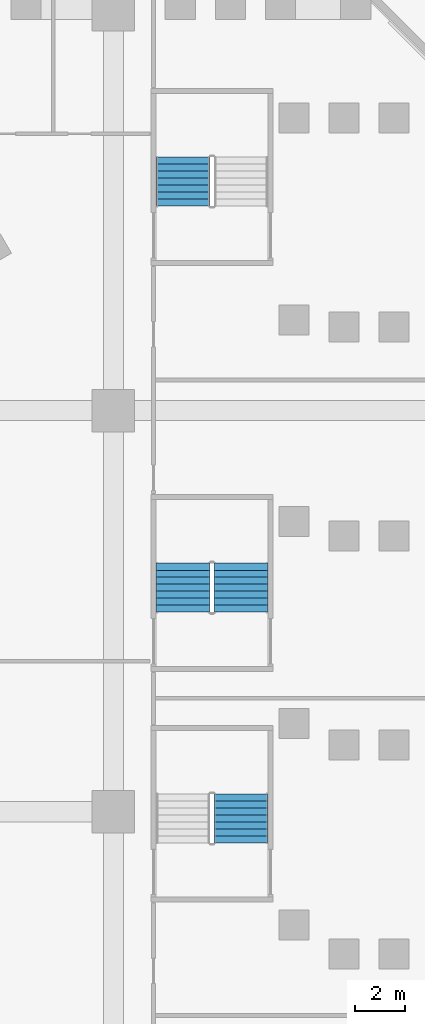
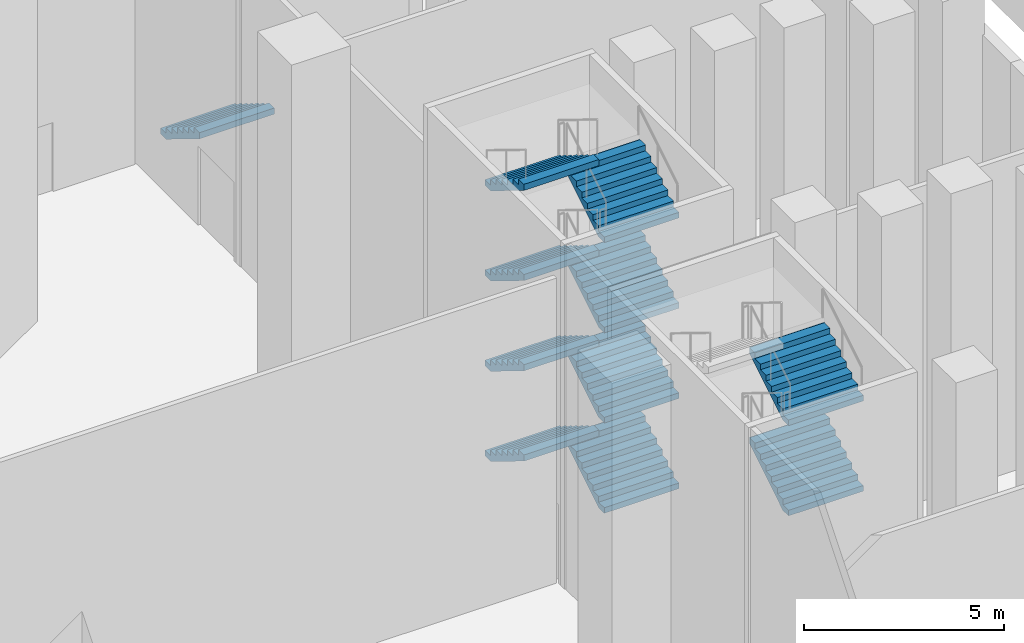
# One storey, part 20 of 31: 11 stair flights, 3 elements without a shape of their own.
"""IFC4 building model written with IfcOpenShell, lengths in metres."""

import ifcopenshell
import ifcopenshell.guid

model = None  # the IFC model being written
_history = None  # IfcOwnerHistory: only IFC2X3 demands one
_inside = {}  # id of a spatial element -> (the spatial element, [elements in it])
_under = {}  # id of a project, library or spatial element -> (it, [spatial elements below it])
_declared = {}  # id of a project -> (the project, [libraries it declares])
_typed = {}  # id of a type object -> (the type object, [elements of that type])
_made_of = {}  # id of a material, layer set ... -> (it, [elements and type objects made of it])


def new_model(schema):
    """Start an empty IFC model of exactly this schema.

    Asked for "IFC4X3", IfcOpenShell would pick the latest addendum, in which some entities
    have other attributes; the version numbers below select the first issue.
    IFC2X3 requires an IfcOwnerHistory on every rooted entity: one is made here for all.
    """
    global model, _history
    if schema == "IFC4X3":
        model = ifcopenshell.file(schema_version=(4, 3, 0, 0))
    else:
        model = ifcopenshell.file(schema=schema)
    _inside.clear()
    _under.clear()
    _declared.clear()
    _typed.clear()
    _made_of.clear()
    _history = None
    if model.schema == "IFC2X3":
        org = make("IfcOrganization", Name="unknown")
        user = make(
            "IfcPersonAndOrganization",
            ThePerson=make("IfcPerson", FamilyName="unknown"),
            TheOrganization=org,
        )
        app = make(
            "IfcApplication",
            ApplicationDeveloper=org,
            Version="unknown",
            ApplicationFullName="unknown",
            ApplicationIdentifier="unknown",
        )
        _history = make(
            "IfcOwnerHistory",
            OwningUser=user,
            OwningApplication=app,
            ChangeAction="ADDED",
            CreationDate=0,
        )
    return model


def make(cls, **values):
    """One entity of the class cls with the attributes given. An attribute that is None is left unset."""
    return model.create_entity(
        cls, **{name: value for name, value in values.items() if value is not None}
    )


def rooted(cls, **values):
    """An entity with a GlobalId (a new one), such as an element, a storey or a relation."""
    return make(cls, GlobalId=ifcopenshell.guid.new(), OwnerHistory=_history, **values)


def si_unit(unit_type, name, prefix=None):
    """IfcSIUnit, for example si_unit("LENGTHUNIT", "METRE", prefix="MILLI")."""
    return make("IfcSIUnit", UnitType=unit_type, Prefix=prefix, Name=name)


def assignment(units):
    """IfcUnitAssignment: the units of a project."""
    return None if units is None else make("IfcUnitAssignment", Units=units)


def point(xyz):
    """IfcCartesianPoint."""
    return None if xyz is None else make("IfcCartesianPoint", Coordinates=xyz)


def direction(xyz):
    """IfcDirection."""
    return None if xyz is None else make("IfcDirection", DirectionRatios=xyz)


def frame(location, z_axis=None, x_axis=None):
    """IfcAxis2Placement3D, a coordinate frame: its origin and axes. An axis left out is left unset."""
    return make(
        "IfcAxis2Placement3D",
        Location=point(location),
        Axis=direction(z_axis),
        RefDirection=direction(x_axis),
    )


def origin():
    """The frame at (0, 0, 0) with its axes left unset."""
    return frame((0.0, 0.0, 0.0))


def place(relative_to, where):
    """IfcLocalPlacement: puts the frame where relative to a parent placement (None: the world)."""
    return make(
        "IfcLocalPlacement", PlacementRelTo=relative_to, RelativePlacement=where
    )


def context(
    kind, dimensions, precision=None, world=None, true_north=None, identifier=None
):
    """IfcGeometricRepresentationContext, for example the 3D "Model" context."""
    return make(
        "IfcGeometricRepresentationContext",
        ContextIdentifier=identifier,
        ContextType=kind,
        CoordinateSpaceDimension=dimensions,
        Precision=precision,
        WorldCoordinateSystem=world,
        TrueNorth=true_north,
    )


def subcontext(parent, identifier, kind, view, scale=None):
    """IfcGeometricRepresentationSubContext, for example "Body" below "Model"."""
    return make(
        "IfcGeometricRepresentationSubContext",
        ContextIdentifier=identifier,
        ContextType=kind,
        ParentContext=parent,
        TargetScale=scale,
        TargetView=view,
    )


def project(units=None, contexts=None):
    """IfcProject with its units and contexts."""
    return rooted(
        "IfcProject",
        Name="project",
        RepresentationContexts=contexts,
        UnitsInContext=assignment(units),
    )


def spatial(cls, under=None, at=None, **own):
    """A site, building, storey or space (cls), placed at a placement, below another one or the project."""
    s = rooted(cls, ObjectPlacement=at, **own)
    if under is not None:
        _under.setdefault(under.id(), (under, []))[1].append(s)
    return s


def faces_of(points, faces, orient=None, outer=None):
    """IfcFace entities. A face is a list of loops; a loop is a list of indices into points, from 0.

    orient and outer hold one flag for each loop. By default every Orientation is true, the
    first loop of a face is its IfcFaceOuterBound and the others are IfcFaceBound.
    """
    made = []
    for i, loops in enumerate(faces):
        bounds = []
        for j, loop in enumerate(loops):
            is_outer = j == 0 if outer is None else outer[i][j]
            bounds.append(
                make(
                    "IfcFaceOuterBound" if is_outer else "IfcFaceBound",
                    Bound=make("IfcPolyLoop", Polygon=[points[k] for k in loop]),
                    Orientation=True if orient is None else orient[i][j],
                )
            )
        made.append(make("IfcFace", Bounds=bounds))
    return made


def faceted_brep(points, faces, orient=None, outer=None, voids=None):
    """IfcFacetedBrep: a solid bounded by flat faces; with voids (closed shells), ...WithVoids."""
    shared = [point(p) for p in points]
    hull = make("IfcClosedShell", CfsFaces=faces_of(shared, faces, orient, outer))
    if voids is None:
        return make("IfcFacetedBrep", Outer=hull)
    return make(
        "IfcFacetedBrepWithVoids",
        Outer=hull,
        Voids=[
            make(cls, CfsFaces=faces_of(shared, fs, o, b)) for cls, fs, o, b in voids
        ],
    )


def shape(context_of_items, identifier, shape_type, items):
    """IfcShapeRepresentation: the items that make up one representation, for example the "Body"."""
    return make(
        "IfcShapeRepresentation",
        ContextOfItems=context_of_items,
        RepresentationIdentifier=identifier,
        RepresentationType=shape_type,
        Items=items,
    )


def source(mapping_origin, context_of_items, identifier, shape_type, items):
    """IfcRepresentationMap: a shape defined once, which mapped items show again and again."""
    return make(
        "IfcRepresentationMap",
        MappingOrigin=mapping_origin,
        MappedRepresentation=shape(context_of_items, identifier, shape_type, items),
    )


def transform(
    local_origin,
    x_axis=None,
    y_axis=None,
    z_axis=None,
    scale=None,
    scale2=None,
    scale3=None,
    uniform=True,
):
    """IfcCartesianTransformationOperator3D, or its non-uniform kind. x_axis, y_axis, z_axis: its Axis1, 2, 3."""
    if uniform:
        return make(
            "IfcCartesianTransformationOperator3D",
            Axis1=direction(x_axis),
            Axis2=direction(y_axis),
            LocalOrigin=point(local_origin),
            Scale=scale,
            Axis3=direction(z_axis),
        )
    return make(
        "IfcCartesianTransformationOperator3DnonUniform",
        Axis1=direction(x_axis),
        Axis2=direction(y_axis),
        LocalOrigin=point(local_origin),
        Scale=scale,
        Axis3=direction(z_axis),
        Scale2=scale2,
        Scale3=scale3,
    )


def mapped(mapping_source, mapping_target):
    """IfcMappedItem: shows the shape of a source again, moved by a transform."""
    return make(
        "IfcMappedItem", MappingSource=mapping_source, MappingTarget=mapping_target
    )


def material(Name=None, Category=None):
    """IfcMaterial."""
    return make("IfcMaterial", Name=Name, Category=Category)


def made_of(thing, what):
    """Note that an element or type object is made of a material, layer set ...; save() writes the relation."""
    if what is not None:
        _made_of.setdefault(what.id(), (what, []))[1].append(thing)
    return thing


def type_object(cls, material=None, **own):
    """A type object (cls), such as IfcWallType, which elements share."""
    return made_of(rooted(cls, **own), material)


def element(
    cls,
    number,
    at=None,
    inside=None,
    cuts=None,
    type_object=None,
    material=None,
    context=None,
    identifier="Body",
    shape_type=None,
    held_by="IfcProductDefinitionShape",
    body=None,
    shapes=None,
    **own,
):
    """One element of the class cls, such as IfcWall. Its Tag is "e" and its number.

    at: its placement. inside: the storey or other place that contains it. cuts: it is an
    opening in that element (IfcRelVoidsElement). A single representation is given by context,
    identifier, shape_type and body (its items); several are given by shapes. held_by: the class
    of the entity that holds the representations. save() writes the other relations.
    """
    e = rooted(cls, Tag="e%d" % number, ObjectPlacement=at, **own)
    if body is not None:
        shapes = [shape(context, identifier, shape_type, body)]
    if shapes is not None:
        e.Representation = make(held_by, Representations=shapes)
    if inside is not None:
        _inside.setdefault(inside.id(), (inside, []))[1].append(e)
    if cuts is not None:
        rooted(
            "IfcRelVoidsElement", RelatingBuildingElement=cuts, RelatedOpeningElement=e
        )
    if type_object is not None:
        _typed.setdefault(type_object.id(), (type_object, []))[1].append(e)
    return made_of(e, material)


def aggregate(whole, parts):
    """IfcRelAggregates: a whole, such as a stair, and the parts it consists of."""
    return rooted("IfcRelAggregates", RelatingObject=whole, RelatedObjects=parts)


def save(model, path):
    """Write the relations noted so far, then the file.

    IfcRelAggregates (storeys below a building ...), IfcRelContainedInSpatialStructure (elements
    in a storey), IfcRelDefinesByType, IfcRelAssociatesMaterial and IfcRelDeclares: one each for
    every whole, place, type object, material and project.
    """
    for whole, parts in _under.values():
        aggregate(whole, parts)
    for where, things in _inside.values():
        rooted(
            "IfcRelContainedInSpatialStructure",
            RelatedElements=things,
            RelatingStructure=where,
        )
    for kind, things in _typed.values():
        rooted("IfcRelDefinesByType", RelatedObjects=things, RelatingType=kind)
    for what, things in _made_of.values():
        rooted("IfcRelAssociatesMaterial", RelatedObjects=things, RelatingMaterial=what)
    for by, libraries in _declared.values():
        rooted("IfcRelDeclares", RelatingContext=by, RelatedDefinitions=libraries)
    model.write(path)


model = new_model("IFC4")

# Units and contexts
model_context = context("Model", 3, precision=1e-05, world=origin(), true_north=direction((0.0, 1.0)))
body_context = subcontext(model_context, "Body", "Model", "MODEL_VIEW")
ifc_project = project(units=[si_unit("LENGTHUNIT", "METRE"), si_unit("AREAUNIT", "SQUARE_METRE"), si_unit("VOLUMEUNIT", "CUBIC_METRE"), si_unit("PLANEANGLEUNIT", "RADIAN"), si_unit("MASSUNIT", "GRAM", prefix="KILO")], contexts=[model_context])

# Site, building, storey
site_placement = place(None, origin())
site = spatial("IfcSite", under=ifc_project, at=site_placement, CompositionType="ELEMENT")
building_placement = place(site_placement, origin())
building = spatial("IfcBuilding", under=site, at=building_placement, Name="Calabash Gate Tower", CompositionType="ELEMENT")
storey_placement = place(building_placement, frame((0.0, 0.0, 9.0)))
storey = spatial("IfcBuildingStorey", under=building, at=storey_placement, Name="L01", CompositionType="ELEMENT", Elevation=9.0)

# Stair, stair flights
ifc_material_1 = material(Name="Concrete C40/50", Category="concrete")
stair_type = type_object("IfcStairType", Name="Public stair 64 risers of 171.9 mm", PredefinedType="HALF_TURN_STAIR", material=ifc_material_1)
stair_1_placement = place(storey_placement, origin())
stair_1 = element("IfcStair", 1, at=stair_1_placement, inside=storey, type_object=stair_type, Name="L01 Public Stair PS8", PredefinedType="HALF_TURN_STAIR")
ifc_material_2 = material(Name="Concrete C40/50", Category="concrete")
stair_flight_type = type_object("IfcStairFlightType", Name="Exit stair flight SFL", PredefinedType="STRAIGHT", material=ifc_material_2)
shared_shape = source(origin(), body_context, "Body", "Brep", [
    faceted_brep([(-0.0009765625, -1.080078125, 0.0), (0.285888671875, -1.080078125, 0.0), (1.9541015625, -1.080078125, 1.027099609375), (-0.0009765625, 1.080078125, 0.0), (1.9541015625, 1.080078125, 1.027099609375), (0.285888671875, 1.080078125, 0.0), (1.9541015625, -1.080078125, 1.215087890625), (1.952880859375, -1.080078125, 1.215087890625), (1.952880859375, 1.080078125, 1.215087890625), (1.9541015625, 1.080078125, 1.215087890625), (1.952880859375, -1.080078125, 1.203125), (1.952880859375, 1.080078125, 1.203125), (1.674072265625, -1.080078125, 1.203125), (1.674072265625, 1.080078125, 1.203125), (1.674072265625, -1.080078125, 1.03125), (1.674072265625, 1.080078125, 1.03125), (1.39501953125, -1.080078125, 1.03125), (1.39501953125, 1.080078125, 1.03125), (1.39501953125, -1.080078125, 0.859375), (1.39501953125, 1.080078125, 0.859375), (1.115966796875, -1.080078125, 0.859375), (1.115966796875, -1.080078125, 0.6875), (1.115966796875, 1.080078125, 0.6875), (1.115966796875, 1.080078125, 0.859375), (0.8369140625, -1.080078125, 0.6875), (0.8369140625, -1.080078125, 0.515625), (0.8369140625, 1.080078125, 0.515625), (0.8369140625, 1.080078125, 0.6875), (0.55810546875, -1.080078125, 0.515625), (0.55810546875, -1.080078125, 0.34375), (0.55810546875, 1.080078125, 0.34375), (0.55810546875, 1.080078125, 0.515625), (0.279052734375, -1.080078125, 0.34375), (0.279052734375, -1.080078125, 0.171875), (0.279052734375, 1.080078125, 0.171875), (0.279052734375, 1.080078125, 0.34375), (-0.0009765625, -1.080078125, 0.171875), (-0.0009765625, 1.080078125, 0.171875), (0.285888671875, -0.431884765625, 0.0), (1.9541015625, -0.431884765625, 1.027099609375), (0.285888671875, -0.370361328125, 0.0), (1.9541015625, -0.370361328125, 1.027099609375), (0.285888671875, -0.30859375, 0.0), (1.9541015625, -0.30859375, 1.027099609375), (0.285888671875, -0.246826171875, 0.0), (1.9541015625, -0.246826171875, 1.027099609375), (0.285888671875, -0.18505859375, 0.0), (1.9541015625, -0.18505859375, 1.027099609375), (0.285888671875, -0.12353515625, 0.0), (1.9541015625, -0.12353515625, 1.027099609375), (0.285888671875, -0.061767578125, 0.0), (1.9541015625, -0.061767578125, 1.027099609375), (0.285888671875, 0.0, 0.0), (1.9541015625, 0.0, 1.027099609375), (0.285888671875, 0.061767578125, 0.0), (1.9541015625, 0.061767578125, 1.027099609375), (0.285888671875, 0.12353515625, 0.0), (1.9541015625, 0.12353515625, 1.027099609375), (0.285888671875, 0.18505859375, 0.0), (1.9541015625, 0.18505859375, 1.027099609375), (0.285888671875, 0.246826171875, 0.0), (1.9541015625, 0.246826171875, 1.027099609375), (0.285888671875, 0.30859375, 0.0), (1.9541015625, 0.30859375, 1.027099609375), (0.285888671875, 0.370361328125, 0.0), (1.9541015625, 0.370361328125, 1.027099609375), (0.285888671875, 0.431884765625, 0.0), (1.9541015625, 0.431884765625, 1.027099609375), (1.9541015625, -0.431884765625, 1.215087890625), (1.9541015625, -0.370361328125, 1.215087890625), (1.9541015625, -0.30859375, 1.215087890625), (1.9541015625, -0.246826171875, 1.215087890625), (1.9541015625, -0.18505859375, 1.215087890625), (1.9541015625, -0.12353515625, 1.215087890625), (1.9541015625, -0.061767578125, 1.215087890625), (1.9541015625, 0.0, 1.215087890625), (1.9541015625, 0.061767578125, 1.215087890625), (1.9541015625, 0.12353515625, 1.215087890625), (1.9541015625, 0.18505859375, 1.215087890625), (1.9541015625, 0.246826171875, 1.215087890625), (1.9541015625, 0.30859375, 1.215087890625), (1.9541015625, 0.370361328125, 1.215087890625), (1.9541015625, 0.431884765625, 1.215087890625), (1.952880859375, -0.431884765625, 1.215087890625), (1.952880859375, -0.370361328125, 1.215087890625), (1.952880859375, -0.30859375, 1.215087890625), (1.952880859375, -0.246826171875, 1.215087890625), (1.952880859375, -0.18505859375, 1.215087890625), (1.952880859375, -0.12353515625, 1.215087890625), (1.952880859375, -0.061767578125, 1.215087890625), (1.952880859375, 0.0, 1.215087890625), (1.952880859375, 0.061767578125, 1.215087890625), (1.952880859375, 0.12353515625, 1.215087890625), (1.952880859375, 0.18505859375, 1.215087890625), (1.952880859375, 0.246826171875, 1.215087890625), (1.952880859375, 0.30859375, 1.215087890625), (1.952880859375, 0.370361328125, 1.215087890625), (1.952880859375, 0.431884765625, 1.215087890625), (1.952880859375, -0.431884765625, 1.203125), (1.952880859375, -0.370361328125, 1.203125), (1.952880859375, -0.30859375, 1.203125), (1.952880859375, -0.246826171875, 1.203125), (1.952880859375, -0.18505859375, 1.203125), (1.952880859375, -0.12353515625, 1.203125), (1.952880859375, -0.061767578125, 1.203125), (1.952880859375, 0.0, 1.203125), (1.952880859375, 0.061767578125, 1.203125), (1.952880859375, 0.12353515625, 1.203125), (1.952880859375, 0.18505859375, 1.203125), (1.952880859375, 0.246826171875, 1.203125), (1.952880859375, 0.30859375, 1.203125), (1.952880859375, 0.370361328125, 1.203125), (1.952880859375, 0.431884765625, 1.203125), (1.674072265625, -0.431884765625, 1.203125), (1.674072265625, -0.370361328125, 1.203125), (1.674072265625, -0.30859375, 1.203125), (1.674072265625, -0.246826171875, 1.203125), (1.674072265625, -0.18505859375, 1.203125), (1.674072265625, -0.12353515625, 1.203125), (1.674072265625, -0.061767578125, 1.203125), (1.674072265625, 0.0, 1.203125), (1.674072265625, 0.061767578125, 1.203125), (1.674072265625, 0.12353515625, 1.203125), (1.674072265625, 0.18505859375, 1.203125), (1.674072265625, 0.246826171875, 1.203125), (1.674072265625, 0.30859375, 1.203125), (1.674072265625, 0.370361328125, 1.203125), (1.674072265625, 0.431884765625, 1.203125), (1.674072265625, -0.431884765625, 1.03125), (1.674072265625, -0.370361328125, 1.03125), (1.674072265625, -0.30859375, 1.03125), (1.674072265625, -0.246826171875, 1.03125), (1.674072265625, -0.18505859375, 1.03125), (1.674072265625, -0.12353515625, 1.03125), (1.674072265625, -0.061767578125, 1.03125), (1.674072265625, 0.0, 1.03125), (1.674072265625, 0.061767578125, 1.03125), (1.674072265625, 0.12353515625, 1.03125), (1.674072265625, 0.18505859375, 1.03125), (1.674072265625, 0.246826171875, 1.03125), (1.674072265625, 0.30859375, 1.03125), (1.674072265625, 0.370361328125, 1.03125), (1.674072265625, 0.431884765625, 1.03125), (1.39501953125, -0.431884765625, 1.03125), (1.39501953125, -0.370361328125, 1.03125), (1.39501953125, -0.30859375, 1.03125), (1.39501953125, -0.246826171875, 1.03125), (1.39501953125, -0.18505859375, 1.03125), (1.39501953125, -0.12353515625, 1.03125), (1.39501953125, -0.061767578125, 1.03125), (1.39501953125, 0.0, 1.03125), (1.39501953125, 0.061767578125, 1.03125), (1.39501953125, 0.12353515625, 1.03125), (1.39501953125, 0.18505859375, 1.03125), (1.39501953125, 0.246826171875, 1.03125), (1.39501953125, 0.30859375, 1.03125), (1.39501953125, 0.370361328125, 1.03125), (1.39501953125, 0.431884765625, 1.03125), (1.39501953125, -0.431884765625, 0.859375), (1.39501953125, -0.370361328125, 0.859375), (1.39501953125, -0.30859375, 0.859375), (1.39501953125, -0.246826171875, 0.859375), (1.39501953125, -0.18505859375, 0.859375), (1.39501953125, -0.12353515625, 0.859375), (1.39501953125, -0.061767578125, 0.859375), (1.39501953125, 0.0, 0.859375), (1.39501953125, 0.061767578125, 0.859375), (1.39501953125, 0.12353515625, 0.859375), (1.39501953125, 0.18505859375, 0.859375), (1.39501953125, 0.246826171875, 0.859375), (1.39501953125, 0.30859375, 0.859375), (1.39501953125, 0.370361328125, 0.859375), (1.39501953125, 0.431884765625, 0.859375), (1.115966796875, -0.431884765625, 0.859375), (1.115966796875, -0.370361328125, 0.859375), (1.115966796875, -0.30859375, 0.859375), (1.115966796875, -0.246826171875, 0.859375), (1.115966796875, -0.18505859375, 0.859375), (1.115966796875, -0.12353515625, 0.859375), (1.115966796875, -0.061767578125, 0.859375), (1.115966796875, 0.0, 0.859375), (1.115966796875, 0.061767578125, 0.859375), (1.115966796875, 0.12353515625, 0.859375), (1.115966796875, 0.18505859375, 0.859375), (1.115966796875, 0.246826171875, 0.859375), (1.115966796875, 0.30859375, 0.859375), (1.115966796875, 0.370361328125, 0.859375), (1.115966796875, 0.431884765625, 0.859375), (1.115966796875, -0.431884765625, 0.6875), (1.115966796875, -0.370361328125, 0.6875), (1.115966796875, -0.30859375, 0.6875), (1.115966796875, -0.246826171875, 0.6875), (1.115966796875, -0.18505859375, 0.6875), (1.115966796875, -0.12353515625, 0.6875), (1.115966796875, -0.061767578125, 0.6875), (1.115966796875, 0.0, 0.6875), (1.115966796875, 0.061767578125, 0.6875), (1.115966796875, 0.12353515625, 0.6875), (1.115966796875, 0.18505859375, 0.6875), (1.115966796875, 0.246826171875, 0.6875), (1.115966796875, 0.30859375, 0.6875), (1.115966796875, 0.370361328125, 0.6875), (1.115966796875, 0.431884765625, 0.6875), (0.8369140625, -0.431884765625, 0.6875), (0.8369140625, -0.370361328125, 0.6875), (0.8369140625, -0.30859375, 0.6875), (0.8369140625, -0.246826171875, 0.6875), (0.8369140625, -0.18505859375, 0.6875), (0.8369140625, -0.12353515625, 0.6875), (0.8369140625, -0.061767578125, 0.6875), (0.8369140625, 0.0, 0.6875), (0.8369140625, 0.061767578125, 0.6875), (0.8369140625, 0.12353515625, 0.6875), (0.8369140625, 0.18505859375, 0.6875), (0.8369140625, 0.246826171875, 0.6875), (0.8369140625, 0.30859375, 0.6875), (0.8369140625, 0.370361328125, 0.6875), (0.8369140625, 0.431884765625, 0.6875), (0.8369140625, -0.431884765625, 0.515625), (0.8369140625, -0.370361328125, 0.515625), (0.8369140625, -0.30859375, 0.515625), (0.8369140625, -0.246826171875, 0.515625), (0.8369140625, -0.18505859375, 0.515625), (0.8369140625, -0.12353515625, 0.515625), (0.8369140625, -0.061767578125, 0.515625), (0.8369140625, 0.0, 0.515625), (0.8369140625, 0.061767578125, 0.515625), (0.8369140625, 0.12353515625, 0.515625), (0.8369140625, 0.18505859375, 0.515625), (0.8369140625, 0.246826171875, 0.515625), (0.8369140625, 0.30859375, 0.515625), (0.8369140625, 0.370361328125, 0.515625), (0.8369140625, 0.431884765625, 0.515625), (0.55810546875, -0.431884765625, 0.515625), (0.55810546875, -0.370361328125, 0.515625), (0.55810546875, -0.30859375, 0.515625), (0.55810546875, -0.246826171875, 0.515625), (0.55810546875, -0.18505859375, 0.515625), (0.55810546875, -0.12353515625, 0.515625), (0.55810546875, -0.061767578125, 0.515625), (0.55810546875, 0.0, 0.515625), (0.55810546875, 0.061767578125, 0.515625), (0.55810546875, 0.12353515625, 0.515625), (0.55810546875, 0.18505859375, 0.515625), (0.55810546875, 0.246826171875, 0.515625), (0.55810546875, 0.30859375, 0.515625), (0.55810546875, 0.370361328125, 0.515625), (0.55810546875, 0.431884765625, 0.515625), (0.55810546875, -0.431884765625, 0.34375), (0.55810546875, -0.370361328125, 0.34375), (0.55810546875, -0.30859375, 0.34375), (0.55810546875, -0.246826171875, 0.34375), (0.55810546875, -0.18505859375, 0.34375), (0.55810546875, -0.12353515625, 0.34375), (0.55810546875, -0.061767578125, 0.34375), (0.55810546875, 0.0, 0.34375), (0.55810546875, 0.061767578125, 0.34375), (0.55810546875, 0.12353515625, 0.34375), (0.55810546875, 0.18505859375, 0.34375), (0.55810546875, 0.246826171875, 0.34375), (0.55810546875, 0.30859375, 0.34375), (0.55810546875, 0.370361328125, 0.34375), (0.55810546875, 0.431884765625, 0.34375), (0.279052734375, -0.431884765625, 0.34375), (0.279052734375, -0.370361328125, 0.34375), (0.279052734375, -0.30859375, 0.34375), (0.279052734375, -0.246826171875, 0.34375), (0.279052734375, -0.18505859375, 0.34375), (0.279052734375, -0.12353515625, 0.34375), (0.279052734375, -0.061767578125, 0.34375), (0.279052734375, 0.0, 0.34375), (0.279052734375, 0.061767578125, 0.34375), (0.279052734375, 0.12353515625, 0.34375), (0.279052734375, 0.18505859375, 0.34375), (0.279052734375, 0.246826171875, 0.34375), (0.279052734375, 0.30859375, 0.34375), (0.279052734375, 0.370361328125, 0.34375), (0.279052734375, 0.431884765625, 0.34375), (0.279052734375, -0.431884765625, 0.171875), (0.279052734375, -0.370361328125, 0.171875), (0.279052734375, -0.30859375, 0.171875), (0.279052734375, -0.246826171875, 0.171875), (0.279052734375, -0.18505859375, 0.171875), (0.279052734375, -0.12353515625, 0.171875), (0.279052734375, -0.061767578125, 0.171875), (0.279052734375, 0.0, 0.171875), (0.279052734375, 0.061767578125, 0.171875), (0.279052734375, 0.12353515625, 0.171875), (0.279052734375, 0.18505859375, 0.171875), (0.279052734375, 0.246826171875, 0.171875), (0.279052734375, 0.30859375, 0.171875), (0.279052734375, 0.370361328125, 0.171875), (0.279052734375, 0.431884765625, 0.171875), (-0.0009765625, -0.431884765625, 0.171875), (-0.0009765625, -0.370361328125, 0.171875), (-0.0009765625, -0.30859375, 0.171875), (-0.0009765625, -0.246826171875, 0.171875), (-0.0009765625, -0.18505859375, 0.171875), (-0.0009765625, -0.12353515625, 0.171875), (-0.0009765625, -0.061767578125, 0.171875), (-0.0009765625, 0.0, 0.171875), (-0.0009765625, 0.061767578125, 0.171875), (-0.0009765625, 0.12353515625, 0.171875), (-0.0009765625, 0.18505859375, 0.171875), (-0.0009765625, 0.246826171875, 0.171875), (-0.0009765625, 0.30859375, 0.171875), (-0.0009765625, 0.370361328125, 0.171875), (-0.0009765625, 0.431884765625, 0.171875), (-0.0009765625, -0.431884765625, 0.0), (-0.0009765625, -0.370361328125, 0.0), (-0.0009765625, -0.30859375, 0.0), (-0.0009765625, -0.246826171875, 0.0), (-0.0009765625, -0.18505859375, 0.0), (-0.0009765625, -0.12353515625, 0.0), (-0.0009765625, -0.061767578125, 0.0), (-0.0009765625, 0.0, 0.0), (-0.0009765625, 0.061767578125, 0.0), (-0.0009765625, 0.12353515625, 0.0), (-0.0009765625, 0.18505859375, 0.0), (-0.0009765625, 0.246826171875, 0.0), (-0.0009765625, 0.30859375, 0.0), (-0.0009765625, 0.370361328125, 0.0), (-0.0009765625, 0.431884765625, 0.0)], [[[0, 1, 2]], [[3, 4, 5]], [[2, 6, 7]], [[4, 8, 9]], [[2, 7, 10]], [[4, 11, 8]], [[2, 10, 12]], [[4, 13, 11]], [[2, 12, 14]], [[4, 15, 13]], [[2, 14, 16]], [[4, 17, 15]], [[2, 16, 18]], [[4, 19, 17]], [[18, 20, 21]], [[19, 22, 23]], [[2, 18, 21]], [[4, 22, 19]], [[21, 24, 25]], [[22, 26, 27]], [[2, 21, 25]], [[4, 26, 22]], [[25, 28, 29]], [[26, 30, 31]], [[2, 25, 29]], [[4, 30, 26]], [[29, 32, 33]], [[30, 34, 35]], [[2, 29, 33]], [[4, 34, 30]], [[0, 2, 33]], [[3, 34, 4]], [[33, 36, 0]], [[34, 3, 37]], [[1, 38, 2]], [[38, 39, 2]], [[38, 40, 39]], [[40, 41, 39]], [[40, 42, 41]], [[42, 43, 41]], [[42, 44, 43]], [[44, 45, 43]], [[44, 46, 45]], [[46, 47, 45]], [[46, 48, 47]], [[48, 49, 47]], [[48, 50, 49]], [[50, 51, 49]], [[50, 52, 51]], [[52, 53, 51]], [[52, 54, 55]], [[52, 55, 53]], [[54, 56, 57]], [[54, 57, 55]], [[56, 58, 59]], [[56, 59, 57]], [[58, 60, 61]], [[58, 61, 59]], [[60, 62, 63]], [[60, 63, 61]], [[62, 64, 65]], [[62, 65, 63]], [[64, 66, 67]], [[64, 67, 65]], [[66, 5, 4]], [[66, 4, 67]], [[2, 39, 6]], [[39, 68, 6]], [[39, 41, 68]], [[41, 69, 68]], [[41, 43, 69]], [[43, 70, 69]], [[43, 45, 70]], [[45, 71, 70]], [[45, 47, 71]], [[47, 72, 71]], [[47, 49, 72]], [[49, 73, 72]], [[49, 51, 73]], [[51, 74, 73]], [[51, 53, 74]], [[53, 75, 74]], [[53, 55, 76]], [[53, 76, 75]], [[55, 57, 77]], [[55, 77, 76]], [[57, 59, 78]], [[57, 78, 77]], [[59, 61, 79]], [[59, 79, 78]], [[61, 63, 80]], [[61, 80, 79]], [[63, 65, 81]], [[63, 81, 80]], [[65, 67, 82]], [[65, 82, 81]], [[67, 4, 9]], [[67, 9, 82]], [[6, 68, 7]], [[68, 83, 7]], [[68, 69, 83]], [[69, 84, 83]], [[69, 70, 84]], [[70, 85, 84]], [[70, 71, 85]], [[71, 86, 85]], [[71, 72, 86]], [[72, 87, 86]], [[72, 73, 87]], [[73, 88, 87]], [[73, 74, 88]], [[74, 89, 88]], [[74, 75, 89]], [[75, 90, 89]], [[75, 76, 91]], [[75, 91, 90]], [[76, 77, 92]], [[76, 92, 91]], [[77, 78, 93]], [[77, 93, 92]], [[78, 79, 94]], [[78, 94, 93]], [[79, 80, 95]], [[79, 95, 94]], [[80, 81, 96]], [[80, 96, 95]], [[81, 82, 97]], [[81, 97, 96]], [[82, 9, 8]], [[82, 8, 97]], [[7, 83, 10]], [[83, 98, 10]], [[83, 84, 98]], [[84, 99, 98]], [[84, 85, 99]], [[85, 100, 99]], [[85, 86, 100]], [[86, 101, 100]], [[86, 87, 101]], [[87, 102, 101]], [[87, 88, 102]], [[88, 103, 102]], [[88, 89, 103]], [[89, 104, 103]], [[89, 90, 104]], [[90, 105, 104]], [[90, 91, 106]], [[90, 106, 105]], [[91, 92, 107]], [[91, 107, 106]], [[92, 93, 108]], [[92, 108, 107]], [[93, 94, 109]], [[93, 109, 108]], [[94, 95, 110]], [[94, 110, 109]], [[95, 96, 111]], [[95, 111, 110]], [[96, 97, 112]], [[96, 112, 111]], [[97, 8, 11]], [[97, 11, 112]], [[10, 98, 12]], [[98, 113, 12]], [[98, 99, 113]], [[99, 114, 113]], [[99, 100, 114]], [[100, 115, 114]], [[100, 101, 115]], [[101, 116, 115]], [[101, 102, 116]], [[102, 117, 116]], [[102, 103, 117]], [[103, 118, 117]], [[103, 104, 118]], [[104, 119, 118]], [[104, 105, 119]], [[105, 120, 119]], [[105, 106, 121]], [[105, 121, 120]], [[106, 107, 122]], [[106, 122, 121]], [[107, 108, 123]], [[107, 123, 122]], [[108, 109, 124]], [[108, 124, 123]], [[109, 110, 125]], [[109, 125, 124]], [[110, 111, 126]], [[110, 126, 125]], [[111, 112, 127]], [[111, 127, 126]], [[112, 11, 13]], [[112, 13, 127]], [[12, 113, 14]], [[113, 128, 14]], [[113, 114, 128]], [[114, 129, 128]], [[114, 115, 129]], [[115, 130, 129]], [[115, 116, 130]], [[116, 131, 130]], [[116, 117, 131]], [[117, 132, 131]], [[117, 118, 132]], [[118, 133, 132]], [[118, 119, 133]], [[119, 134, 133]], [[119, 120, 134]], [[120, 135, 134]], [[120, 121, 136]], [[120, 136, 135]], [[121, 122, 137]], [[121, 137, 136]], [[122, 123, 138]], [[122, 138, 137]], [[123, 124, 139]], [[123, 139, 138]], [[124, 125, 140]], [[124, 140, 139]], [[125, 126, 141]], [[125, 141, 140]], [[126, 127, 142]], [[126, 142, 141]], [[127, 13, 15]], [[127, 15, 142]], [[14, 128, 16]], [[128, 143, 16]], [[128, 129, 143]], [[129, 144, 143]], [[129, 130, 144]], [[130, 145, 144]], [[130, 131, 145]], [[131, 146, 145]], [[131, 132, 146]], [[132, 147, 146]], [[132, 133, 147]], [[133, 148, 147]], [[133, 134, 148]], [[134, 149, 148]], [[134, 135, 149]], [[135, 150, 149]], [[135, 136, 151]], [[135, 151, 150]], [[136, 137, 152]], [[136, 152, 151]], [[137, 138, 153]], [[137, 153, 152]], [[138, 139, 154]], [[138, 154, 153]], [[139, 140, 155]], [[139, 155, 154]], [[140, 141, 156]], [[140, 156, 155]], [[141, 142, 157]], [[141, 157, 156]], [[142, 15, 17]], [[142, 17, 157]], [[16, 143, 18]], [[143, 158, 18]], [[143, 144, 158]], [[144, 159, 158]], [[144, 145, 159]], [[145, 160, 159]], [[145, 146, 160]], [[146, 161, 160]], [[146, 147, 161]], [[147, 162, 161]], [[147, 148, 162]], [[148, 163, 162]], [[148, 149, 163]], [[149, 164, 163]], [[149, 150, 164]], [[150, 165, 164]], [[150, 151, 166]], [[150, 166, 165]], [[151, 152, 167]], [[151, 167, 166]], [[152, 153, 168]], [[152, 168, 167]], [[153, 154, 169]], [[153, 169, 168]], [[154, 155, 170]], [[154, 170, 169]], [[155, 156, 171]], [[155, 171, 170]], [[156, 157, 172]], [[156, 172, 171]], [[157, 17, 19]], [[157, 19, 172]], [[18, 158, 20]], [[158, 173, 20]], [[158, 159, 173]], [[159, 174, 173]], [[159, 160, 174]], [[160, 175, 174]], [[160, 161, 175]], [[161, 176, 175]], [[161, 162, 176]], [[162, 177, 176]], [[162, 163, 177]], [[163, 178, 177]], [[163, 164, 178]], [[164, 179, 178]], [[164, 165, 179]], [[165, 180, 179]], [[165, 166, 181]], [[165, 181, 180]], [[166, 167, 182]], [[166, 182, 181]], [[167, 168, 183]], [[167, 183, 182]], [[168, 169, 184]], [[168, 184, 183]], [[169, 170, 185]], [[169, 185, 184]], [[170, 171, 186]], [[170, 186, 185]], [[171, 172, 187]], [[171, 187, 186]], [[172, 19, 23]], [[172, 23, 187]], [[20, 173, 21]], [[173, 188, 21]], [[173, 174, 188]], [[174, 189, 188]], [[174, 175, 189]], [[175, 190, 189]], [[175, 176, 190]], [[176, 191, 190]], [[176, 177, 191]], [[177, 192, 191]], [[177, 178, 192]], [[178, 193, 192]], [[178, 179, 193]], [[179, 194, 193]], [[179, 180, 194]], [[180, 195, 194]], [[180, 181, 196]], [[180, 196, 195]], [[181, 182, 197]], [[181, 197, 196]], [[182, 183, 198]], [[182, 198, 197]], [[183, 184, 199]], [[183, 199, 198]], [[184, 185, 200]], [[184, 200, 199]], [[185, 186, 201]], [[185, 201, 200]], [[186, 187, 202]], [[186, 202, 201]], [[187, 23, 22]], [[187, 22, 202]], [[21, 188, 24]], [[188, 203, 24]], [[188, 189, 203]], [[189, 204, 203]], [[189, 190, 204]], [[190, 205, 204]], [[190, 191, 205]], [[191, 206, 205]], [[191, 192, 206]], [[192, 207, 206]], [[192, 193, 207]], [[193, 208, 207]], [[193, 194, 208]], [[194, 209, 208]], [[194, 195, 209]], [[195, 210, 209]], [[195, 196, 211]], [[195, 211, 210]], [[196, 197, 212]], [[196, 212, 211]], [[197, 198, 213]], [[197, 213, 212]], [[198, 199, 214]], [[198, 214, 213]], [[199, 200, 215]], [[199, 215, 214]], [[200, 201, 216]], [[200, 216, 215]], [[201, 202, 217]], [[201, 217, 216]], [[202, 22, 27]], [[202, 27, 217]], [[24, 203, 25]], [[203, 218, 25]], [[203, 204, 218]], [[204, 219, 218]], [[204, 205, 219]], [[205, 220, 219]], [[205, 206, 220]], [[206, 221, 220]], [[206, 207, 221]], [[207, 222, 221]], [[207, 208, 222]], [[208, 223, 222]], [[208, 209, 223]], [[209, 224, 223]], [[209, 210, 224]], [[210, 225, 224]], [[210, 211, 226]], [[210, 226, 225]], [[211, 212, 227]], [[211, 227, 226]], [[212, 213, 228]], [[212, 228, 227]], [[213, 214, 229]], [[213, 229, 228]], [[214, 215, 230]], [[214, 230, 229]], [[215, 216, 231]], [[215, 231, 230]], [[216, 217, 232]], [[216, 232, 231]], [[217, 27, 26]], [[217, 26, 232]], [[25, 218, 28]], [[218, 233, 28]], [[218, 219, 233]], [[219, 234, 233]], [[219, 220, 234]], [[220, 235, 234]], [[220, 221, 235]], [[221, 236, 235]], [[221, 222, 236]], [[222, 237, 236]], [[222, 223, 237]], [[223, 238, 237]], [[223, 224, 238]], [[224, 239, 238]], [[224, 225, 239]], [[225, 240, 239]], [[225, 226, 241]], [[225, 241, 240]], [[226, 227, 242]], [[226, 242, 241]], [[227, 228, 243]], [[227, 243, 242]], [[228, 229, 244]], [[228, 244, 243]], [[229, 230, 245]], [[229, 245, 244]], [[230, 231, 246]], [[230, 246, 245]], [[231, 232, 247]], [[231, 247, 246]], [[232, 26, 31]], [[232, 31, 247]], [[28, 233, 29]], [[233, 248, 29]], [[233, 234, 248]], [[234, 249, 248]], [[234, 235, 249]], [[235, 250, 249]], [[235, 236, 250]], [[236, 251, 250]], [[236, 237, 251]], [[237, 252, 251]], [[237, 238, 252]], [[238, 253, 252]], [[238, 239, 253]], [[239, 254, 253]], [[239, 240, 254]], [[240, 255, 254]], [[240, 241, 256]], [[240, 256, 255]], [[241, 242, 257]], [[241, 257, 256]], [[242, 243, 258]], [[242, 258, 257]], [[243, 244, 259]], [[243, 259, 258]], [[244, 245, 260]], [[244, 260, 259]], [[245, 246, 261]], [[245, 261, 260]], [[246, 247, 262]], [[246, 262, 261]], [[247, 31, 30]], [[247, 30, 262]], [[29, 248, 32]], [[248, 263, 32]], [[248, 249, 263]], [[249, 264, 263]], [[249, 250, 264]], [[250, 265, 264]], [[250, 251, 265]], [[251, 266, 265]], [[251, 252, 266]], [[252, 267, 266]], [[252, 253, 267]], [[253, 268, 267]], [[253, 254, 268]], [[254, 269, 268]], [[254, 255, 269]], [[255, 270, 269]], [[255, 256, 271]], [[255, 271, 270]], [[256, 257, 272]], [[256, 272, 271]], [[257, 258, 273]], [[257, 273, 272]], [[258, 259, 274]], [[258, 274, 273]], [[259, 260, 275]], [[259, 275, 274]], [[260, 261, 276]], [[260, 276, 275]], [[261, 262, 277]], [[261, 277, 276]], [[262, 30, 35]], [[262, 35, 277]], [[32, 263, 33]], [[263, 278, 33]], [[263, 264, 278]], [[264, 279, 278]], [[264, 265, 279]], [[265, 280, 279]], [[265, 266, 280]], [[266, 281, 280]], [[266, 267, 281]], [[267, 282, 281]], [[267, 268, 282]], [[268, 283, 282]], [[268, 269, 283]], [[269, 284, 283]], [[269, 270, 284]], [[270, 285, 284]], [[270, 271, 286]], [[270, 286, 285]], [[271, 272, 287]], [[271, 287, 286]], [[272, 273, 288]], [[272, 288, 287]], [[273, 274, 289]], [[273, 289, 288]], [[274, 275, 290]], [[274, 290, 289]], [[275, 276, 291]], [[275, 291, 290]], [[276, 277, 292]], [[276, 292, 291]], [[277, 35, 34]], [[277, 34, 292]], [[33, 278, 36]], [[278, 293, 36]], [[278, 279, 293]], [[279, 294, 293]], [[279, 280, 294]], [[280, 295, 294]], [[280, 281, 295]], [[281, 296, 295]], [[281, 282, 296]], [[282, 297, 296]], [[282, 283, 297]], [[283, 298, 297]], [[283, 284, 298]], [[284, 299, 298]], [[284, 285, 299]], [[285, 300, 299]], [[285, 286, 301]], [[285, 301, 300]], [[286, 287, 302]], [[286, 302, 301]], [[287, 288, 303]], [[287, 303, 302]], [[288, 289, 304]], [[288, 304, 303]], [[289, 290, 305]], [[289, 305, 304]], [[290, 291, 306]], [[290, 306, 305]], [[291, 292, 307]], [[291, 307, 306]], [[292, 34, 37]], [[292, 37, 307]], [[36, 293, 0]], [[293, 308, 0]], [[293, 294, 308]], [[294, 309, 308]], [[294, 295, 309]], [[295, 310, 309]], [[295, 296, 310]], [[296, 311, 310]], [[296, 297, 311]], [[297, 312, 311]], [[297, 298, 312]], [[298, 313, 312]], [[298, 299, 313]], [[299, 314, 313]], [[299, 300, 314]], [[300, 315, 314]], [[300, 301, 316]], [[300, 316, 315]], [[301, 302, 317]], [[301, 317, 316]], [[302, 303, 318]], [[302, 318, 317]], [[303, 304, 319]], [[303, 319, 318]], [[304, 305, 320]], [[304, 320, 319]], [[305, 306, 321]], [[305, 321, 320]], [[306, 307, 322]], [[306, 322, 321]], [[307, 37, 3]], [[307, 3, 322]], [[0, 308, 1]], [[308, 38, 1]], [[308, 309, 38]], [[309, 40, 38]], [[309, 310, 40]], [[310, 42, 40]], [[310, 311, 42]], [[311, 44, 42]], [[311, 312, 44]], [[312, 46, 44]], [[312, 313, 46]], [[313, 48, 46]], [[313, 314, 48]], [[314, 50, 48]], [[314, 315, 50]], [[315, 52, 50]], [[315, 316, 54]], [[315, 54, 52]], [[316, 317, 56]], [[316, 56, 54]], [[317, 318, 58]], [[317, 58, 56]], [[318, 319, 60]], [[318, 60, 58]], [[319, 320, 62]], [[319, 62, 60]], [[320, 321, 64]], [[320, 64, 62]], [[321, 322, 66]], [[321, 66, 64]], [[322, 3, 5]], [[322, 5, 66]]]),
])
stair_flight_1_placement = place(storey_placement, frame((37.090087890625, -9.239990234375, 5.5), z_axis=(0.0, 0.0, 1.0), x_axis=(0.0, 1.0, 0.0)))
stair_flight_1 = element("IfcStairFlight", 2, at=stair_flight_1_placement, type_object=stair_flight_type, Name="PS8 flight 5", NumberOfRisers=8, NumberOfTreads=7, PredefinedType="STRAIGHT", RiserHeight=0.171875, TreadLength=0.279, context=body_context, shape_type="MappedRepresentation", body=[
    mapped(shared_shape, transform((0.0, 0.0, 0.0), scale=1.0)),
])
stair_flight_2_placement = place(storey_placement, frame((37.090087890625, -9.239990234375, 8.25), z_axis=(0.0, 0.0, 1.0), x_axis=(0.0, 1.0, 0.0)))
stair_flight_2 = element("IfcStairFlight", 3, at=stair_flight_2_placement, type_object=stair_flight_type, Name="PS8 flight 7", NumberOfRisers=8, NumberOfTreads=7, PredefinedType="STRAIGHT", RiserHeight=0.171875, TreadLength=0.279, context=body_context, shape_type="MappedRepresentation", body=[
    mapped(shared_shape, transform((0.0, 0.0, 0.0), scale=1.0)),
])
aggregate(stair_1, [stair_flight_1, stair_flight_2])

stair_2_placement = place(storey_placement, origin())
stair_2 = element("IfcStair", 4, at=stair_2_placement, inside=storey, type_object=stair_type, Name="L01 Public Stair PS9", PredefinedType="HALF_TURN_STAIR")
stair_flight_3_placement = place(storey_placement, frame((37.090087890625, -0.0400390625, 0.0), z_axis=(0.0, 0.0, 1.0), x_axis=(0.0, 1.0, 0.0)))
stair_flight_3 = element("IfcStairFlight", 5, at=stair_flight_3_placement, type_object=stair_flight_type, Name="PS9 flight 1", NumberOfRisers=8, NumberOfTreads=7, PredefinedType="STRAIGHT", RiserHeight=0.171875, TreadLength=0.279, context=body_context, shape_type="MappedRepresentation", body=[
    mapped(shared_shape, transform((0.0, 0.0, 0.0), scale=1.0)),
])
stair_flight_4_placement = place(storey_placement, frame((34.780029296875, 1.9130859375, 1.375), z_axis=(0.0, 0.0, 1.0), x_axis=(0.0, -1.0, 0.0)))
stair_flight_4 = element("IfcStairFlight", 6, at=stair_flight_4_placement, type_object=stair_flight_type, Name="PS9 flight 2", NumberOfRisers=8, NumberOfTreads=7, PredefinedType="STRAIGHT", RiserHeight=0.171875, TreadLength=0.279, context=body_context, shape_type="MappedRepresentation", body=[
    mapped(shared_shape, transform((0.0, 0.0, 0.0), scale=1.0)),
])
stair_flight_5_placement = place(storey_placement, frame((37.090087890625, -0.0400390625, 2.75), z_axis=(0.0, 0.0, 1.0), x_axis=(0.0, 1.0, 0.0)))
stair_flight_5 = element("IfcStairFlight", 7, at=stair_flight_5_placement, type_object=stair_flight_type, Name="PS9 flight 3", NumberOfRisers=8, NumberOfTreads=7, PredefinedType="STRAIGHT", RiserHeight=0.171875, TreadLength=0.279, context=body_context, shape_type="MappedRepresentation", body=[
    mapped(shared_shape, transform((0.0, 0.0, 0.0), scale=1.0)),
])
stair_flight_6_placement = place(storey_placement, frame((34.780029296875, 1.9130859375, 4.125), z_axis=(0.0, 0.0, 1.0), x_axis=(0.0, -1.0, 0.0)))
stair_flight_6 = element("IfcStairFlight", 8, at=stair_flight_6_placement, type_object=stair_flight_type, Name="PS9 flight 4", NumberOfRisers=8, NumberOfTreads=7, PredefinedType="STRAIGHT", RiserHeight=0.171875, TreadLength=0.279, context=body_context, shape_type="MappedRepresentation", body=[
    mapped(shared_shape, transform((0.0, 0.0, 0.0), scale=1.0)),
])
stair_flight_7_placement = place(storey_placement, frame((37.090087890625, -0.0400390625, 5.5), z_axis=(0.0, 0.0, 1.0), x_axis=(0.0, 1.0, 0.0)))
stair_flight_7 = element("IfcStairFlight", 9, at=stair_flight_7_placement, type_object=stair_flight_type, Name="PS9 flight 5", NumberOfRisers=8, NumberOfTreads=7, PredefinedType="STRAIGHT", RiserHeight=0.171875, TreadLength=0.279, context=body_context, shape_type="MappedRepresentation", body=[
    mapped(shared_shape, transform((0.0, 0.0, 0.0), scale=1.0)),
])
stair_flight_8_placement = place(storey_placement, frame((34.780029296875, 1.9130859375, 6.875), z_axis=(0.0, 0.0, 1.0), x_axis=(0.0, -1.0, 0.0)))
stair_flight_8 = element("IfcStairFlight", 10, at=stair_flight_8_placement, type_object=stair_flight_type, Name="PS9 flight 6", NumberOfRisers=8, NumberOfTreads=7, PredefinedType="STRAIGHT", RiserHeight=0.171875, TreadLength=0.279, context=body_context, shape_type="MappedRepresentation", body=[
    mapped(shared_shape, transform((0.0, 0.0, 0.0), scale=1.0)),
])
stair_flight_9_placement = place(storey_placement, frame((37.090087890625, -0.0400390625, 8.25), z_axis=(0.0, 0.0, 1.0), x_axis=(0.0, 1.0, 0.0)))
stair_flight_9 = element("IfcStairFlight", 11, at=stair_flight_9_placement, type_object=stair_flight_type, Name="PS9 flight 7", NumberOfRisers=8, NumberOfTreads=7, PredefinedType="STRAIGHT", RiserHeight=0.171875, TreadLength=0.279, context=body_context, shape_type="MappedRepresentation", body=[
    mapped(shared_shape, transform((0.0, 0.0, 0.0), scale=1.0)),
])
stair_flight_10_placement = place(storey_placement, frame((34.780029296875, 1.9130859375, 9.625), z_axis=(0.0, 0.0, 1.0), x_axis=(0.0, -1.0, 0.0)))
stair_flight_10 = element("IfcStairFlight", 12, at=stair_flight_10_placement, type_object=stair_flight_type, Name="PS9 flight 8", NumberOfRisers=8, NumberOfTreads=7, PredefinedType="STRAIGHT", RiserHeight=0.171875, TreadLength=0.279, context=body_context, shape_type="MappedRepresentation", body=[
    mapped(shared_shape, transform((0.0, 0.0, 0.0), scale=1.0)),
])
aggregate(stair_2, [stair_flight_3, stair_flight_4, stair_flight_5, stair_flight_6, stair_flight_7, stair_flight_8, stair_flight_9, stair_flight_10])

# Stair, stair flight
stair_3_placement = place(storey_placement, origin())
stair_3 = element("IfcStair", 13, at=stair_3_placement, inside=storey, type_object=stair_type, Name="L01 Public Stair PS10", PredefinedType="HALF_TURN_STAIR")
stair_flight_11_placement = place(storey_placement, frame((34.780029296875, 18.113037109375, 1.375), z_axis=(0.0, 0.0, 1.0), x_axis=(0.0, -1.0, 0.0)))
stair_flight_11 = element("IfcStairFlight", 14, at=stair_flight_11_placement, type_object=stair_flight_type, Name="PS10 flight 2", NumberOfRisers=8, NumberOfTreads=7, PredefinedType="STRAIGHT", RiserHeight=0.171875, TreadLength=0.279, context=body_context, shape_type="MappedRepresentation", body=[
    mapped(shared_shape, transform((0.0, 0.0, 0.0), scale=1.0)),
])
aggregate(stair_3, [stair_flight_11])

save(model, "model.ifc")
